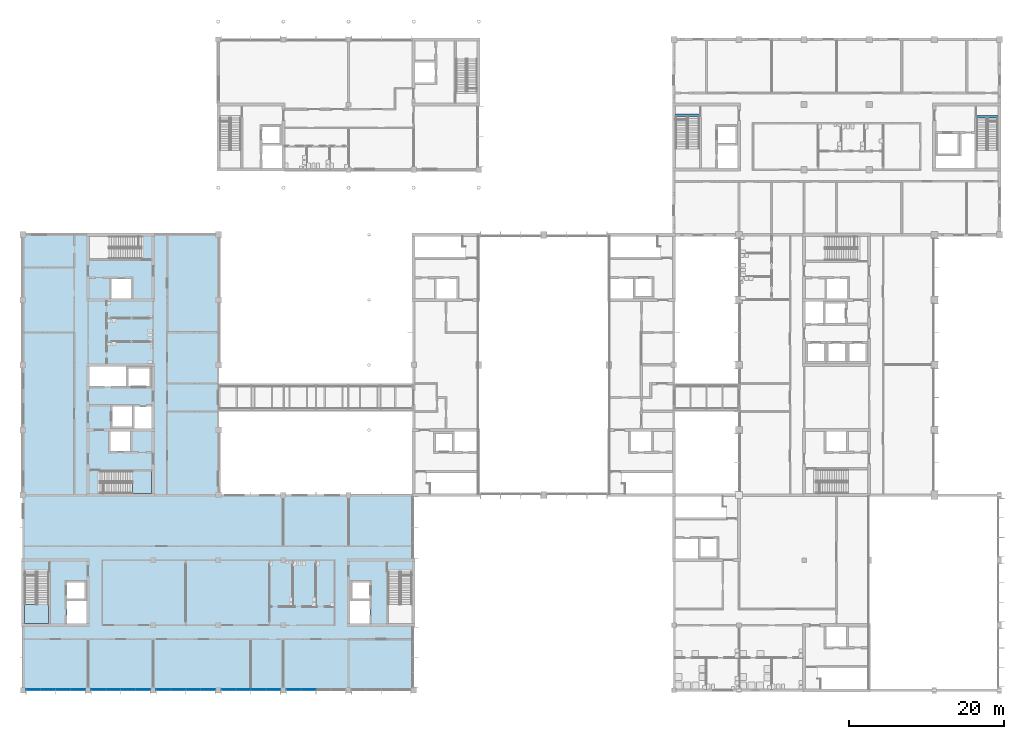
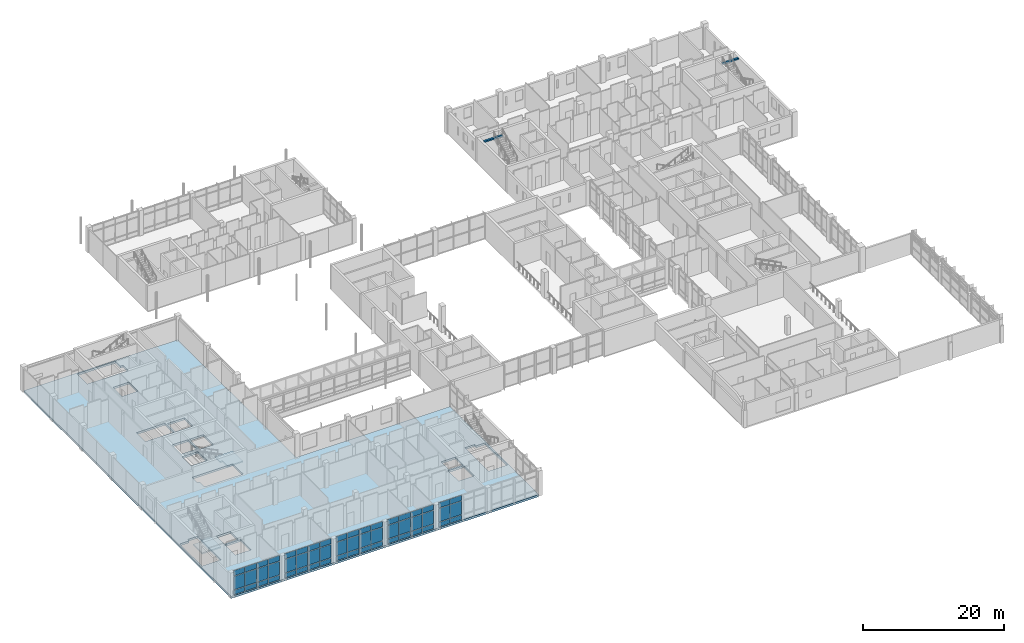
# One storey, part 24 of 70: 54 plates, 3 slabs, 2 beams, 7 elements without a shape of their own.
"""IFC4 building model written with IfcOpenShell, lengths in metres."""

from ifc_helpers import new_model, si_unit, direction, frame, origin, origin_2d, place, context, subcontext, project, spatial, polyline, rectangle, outline, extrude, material, layer, layer_set, material_profile, profile_set, type_object, element, aggregate, save


model = new_model("IFC4")

# Units and contexts
model_context = context("Model", 3, precision=1e-05, world=origin(), true_north=direction((0.0, 1.0)))
body_context = subcontext(model_context, "Body", "Model", "MODEL_VIEW")
ifc_project = project(units=[si_unit("LENGTHUNIT", "METRE"), si_unit("AREAUNIT", "SQUARE_METRE"), si_unit("VOLUMEUNIT", "CUBIC_METRE"), si_unit("PLANEANGLEUNIT", "RADIAN"), si_unit("MASSUNIT", "GRAM", prefix="KILO")], contexts=[model_context])

# Site, building, storey
site_placement = place(None, origin())
site = spatial("IfcSite", under=ifc_project, at=site_placement, CompositionType="ELEMENT")
building_placement = place(site_placement, origin())
building = spatial("IfcBuilding", under=site, at=building_placement, Name="Hlaing Beacon Police Headquarters", CompositionType="ELEMENT")
storey_placement = place(building_placement, frame((0.0, 0.0, 5.39990234375)))
storey = spatial("IfcBuildingStorey", under=building, at=storey_placement, Name="L01", CompositionType="ELEMENT", Elevation=5.39990234375)

# Beams
ifc_material_1 = material(Name="Concrete C40/50", Category="concrete")
ifc_material_profile = material_profile(ifc_material_1, rectangle(XDim=0.300048828125, YDim=0.25, at=origin_2d()), Name="Stair arrival beam 300x250")
ifc_profile_set = profile_set([ifc_material_profile], Name="Concrete C40/50")
beam_type = type_object("IfcBeamType", Name="Stair arrival beam 300x250", PredefinedType="BEAM", material=ifc_profile_set)
beam_1_placement = place(storey_placement, frame((92.60009765625, 82.639892578125, 4.2451171875), z_axis=(1.0, 0.0, 0.0), x_axis=(0.0, 1.0, 0.0)))
element("IfcBeam", 1, at=beam_1_placement, inside=storey, type_object=beam_type, Name="Stair arrival beam ST-Q", PredefinedType="BEAM", context=body_context, shape_type="SweptSolid", body=[
    extrude(rectangle(XDim=0.300048828125, YDim=0.25, at=origin_2d()), origin(), (0.0, 0.0, 1.0), 3.099853515625),
])
beam_2_placement = place(storey_placement, frame((134.199951171875, 82.43994140625, 4.2451171875), z_axis=(-1.0, 0.0, 0.0), x_axis=(0.0, -1.0, 0.0)))
element("IfcBeam", 2, at=beam_2_placement, inside=storey, type_object=beam_type, Name="Stair arrival beam ST-R", PredefinedType="BEAM", context=body_context, shape_type="SweptSolid", body=[
    extrude(rectangle(XDim=0.300048828125, YDim=0.25, at=origin_2d()), origin(), (0.0, 0.0, 1.0), 2.699951171875),
])

# Curtain wall, plates
ifc_material_2 = material(Name="Aluminium frame with solar control glazing", Category="aluminium")
curtain_wall_type = type_object("IfcCurtainWallType", Name="Unitised curtain wall 7.70 x 4.37", PredefinedType="NOTDEFINED", material=ifc_material_2)
curtain_wall_1_placement = place(storey_placement, origin())
curtain_wall_1 = element("IfcCurtainWall", 3, at=curtain_wall_1_placement, inside=storey, type_object=curtain_wall_type, Name="ENV-CW-L01-S011", PredefinedType="NOTDEFINED")
ifc_material_3 = material(Name="Solar control glazing", Category="glass")
ifc_layer_1 = layer(ifc_material_3, 0.02392578125)
ifc_layer_set_1 = layer_set([ifc_layer_1], Name="Solar control glazing")
plate_type_1 = type_object("IfcPlateType", Name="Clear glazing panel 24", PredefinedType="CURTAIN_PANEL", material=ifc_layer_set_1)
plate_1_placement = place(storey_placement, frame((9.7275390625, 8.5, 3.35009765625), z_axis=(0.0, 0.0, 1.0), x_axis=(1.0, 0.0, 0.0)))
plate_1 = element("IfcPlate", 4, at=plate_1_placement, type_object=plate_type_1, Name="CW-L01-S011 panel 1.3", PredefinedType="CURTAIN_PANEL", context=body_context, shape_type="SweptSolid", body=[
    extrude(rectangle(XDim=1.8349609375, YDim=0.02392578125, at=origin_2d()), origin(), (0.0, 0.0, 1.0), 0.919921875),
])
plate_2_placement = place(storey_placement, frame((11.637451171875, 8.5, 3.35009765625), z_axis=(0.0, 0.0, 1.0), x_axis=(1.0, 0.0, 0.0)))
plate_2 = element("IfcPlate", 5, at=plate_2_placement, type_object=plate_type_1, Name="CW-L01-S011 panel 2.3", PredefinedType="CURTAIN_PANEL", context=body_context, shape_type="SweptSolid", body=[
    extrude(rectangle(XDim=1.864990234375, YDim=0.02392578125, at=origin_2d()), origin(), (0.0, 0.0, 1.0), 0.919921875),
])
plate_3_placement = place(storey_placement, frame((13.5625, 8.5, 3.35009765625), z_axis=(0.0, 0.0, 1.0), x_axis=(1.0, 0.0, 0.0)))
plate_3 = element("IfcPlate", 6, at=plate_3_placement, type_object=plate_type_1, Name="CW-L01-S011 panel 3.3", PredefinedType="CURTAIN_PANEL", context=body_context, shape_type="SweptSolid", body=[
    extrude(rectangle(XDim=1.864990234375, YDim=0.02392578125, at=origin_2d()), origin(), (0.0, 0.0, 1.0), 0.919921875),
])
plate_4_placement = place(storey_placement, frame((15.472412109375, 8.5, 3.35009765625), z_axis=(0.0, 0.0, 1.0), x_axis=(1.0, 0.0, 0.0)))
plate_4 = element("IfcPlate", 7, at=plate_4_placement, type_object=plate_type_1, Name="CW-L01-S011 panel 4.3", PredefinedType="CURTAIN_PANEL", context=body_context, shape_type="SweptSolid", body=[
    extrude(rectangle(XDim=1.8349609375, YDim=0.02392578125, at=origin_2d()), origin(), (0.0, 0.0, 1.0), 0.919921875),
])

curtain_wall_2_placement = place(storey_placement, origin())
curtain_wall_2 = element("IfcCurtainWall", 8, at=curtain_wall_2_placement, inside=storey, type_object=curtain_wall_type, Name="ENV-CW-L01-S012", PredefinedType="NOTDEFINED")
plate_5_placement = place(storey_placement, frame((18.12744140625, 8.5, 3.35009765625), z_axis=(0.0, 0.0, 1.0), x_axis=(1.0, 0.0, 0.0)))
plate_5 = element("IfcPlate", 9, at=plate_5_placement, type_object=plate_type_1, Name="CW-L01-S012 panel 1.3", PredefinedType="CURTAIN_PANEL", context=body_context, shape_type="SweptSolid", body=[
    extrude(rectangle(XDim=1.8349609375, YDim=0.02392578125, at=origin_2d()), origin(), (0.0, 0.0, 1.0), 0.919921875),
])
plate_6_placement = place(storey_placement, frame((20.03759765625, 8.5, 3.35009765625), z_axis=(0.0, 0.0, 1.0), x_axis=(1.0, 0.0, 0.0)))
plate_6 = element("IfcPlate", 10, at=plate_6_placement, type_object=plate_type_1, Name="CW-L01-S012 panel 2.3", PredefinedType="CURTAIN_PANEL", context=body_context, shape_type="SweptSolid", body=[
    extrude(rectangle(XDim=1.864990234375, YDim=0.02392578125, at=origin_2d()), origin(), (0.0, 0.0, 1.0), 0.919921875),
])
plate_7_placement = place(storey_placement, frame((21.96240234375, 8.5, 3.35009765625), z_axis=(0.0, 0.0, 1.0), x_axis=(1.0, 0.0, 0.0)))
plate_7 = element("IfcPlate", 11, at=plate_7_placement, type_object=plate_type_1, Name="CW-L01-S012 panel 3.3", PredefinedType="CURTAIN_PANEL", context=body_context, shape_type="SweptSolid", body=[
    extrude(rectangle(XDim=1.864990234375, YDim=0.02392578125, at=origin_2d()), origin(), (0.0, 0.0, 1.0), 0.919921875),
])
plate_8_placement = place(storey_placement, frame((23.87255859375, 8.5, 3.35009765625), z_axis=(0.0, 0.0, 1.0), x_axis=(1.0, 0.0, 0.0)))
plate_8 = element("IfcPlate", 12, at=plate_8_placement, type_object=plate_type_1, Name="CW-L01-S012 panel 4.3", PredefinedType="CURTAIN_PANEL", context=body_context, shape_type="SweptSolid", body=[
    extrude(rectangle(XDim=1.8349609375, YDim=0.02392578125, at=origin_2d()), origin(), (0.0, 0.0, 1.0), 0.919921875),
])

curtain_wall_3_placement = place(storey_placement, origin())
curtain_wall_3 = element("IfcCurtainWall", 13, at=curtain_wall_3_placement, inside=storey, type_object=curtain_wall_type, Name="ENV-CW-L01-S013", PredefinedType="NOTDEFINED")
plate_9_placement = place(storey_placement, frame((26.527587890625, 8.5, 3.35009765625), z_axis=(0.0, 0.0, 1.0), x_axis=(1.0, 0.0, 0.0)))
plate_9 = element("IfcPlate", 14, at=plate_9_placement, type_object=plate_type_1, Name="CW-L01-S013 panel 1.3", PredefinedType="CURTAIN_PANEL", context=body_context, shape_type="SweptSolid", body=[
    extrude(rectangle(XDim=1.8349609375, YDim=0.02392578125, at=origin_2d()), origin(), (0.0, 0.0, 1.0), 0.919921875),
])
plate_10_placement = place(storey_placement, frame((28.4375, 8.5, 3.35009765625), z_axis=(0.0, 0.0, 1.0), x_axis=(1.0, 0.0, 0.0)))
plate_10 = element("IfcPlate", 15, at=plate_10_placement, type_object=plate_type_1, Name="CW-L01-S013 panel 2.3", PredefinedType="CURTAIN_PANEL", context=body_context, shape_type="SweptSolid", body=[
    extrude(rectangle(XDim=1.864990234375, YDim=0.02392578125, at=origin_2d()), origin(), (0.0, 0.0, 1.0), 0.919921875),
])
plate_11_placement = place(storey_placement, frame((30.362548828125, 8.5, 3.35009765625), z_axis=(0.0, 0.0, 1.0), x_axis=(1.0, 0.0, 0.0)))
plate_11 = element("IfcPlate", 16, at=plate_11_placement, type_object=plate_type_1, Name="CW-L01-S013 panel 3.3", PredefinedType="CURTAIN_PANEL", context=body_context, shape_type="SweptSolid", body=[
    extrude(rectangle(XDim=1.864990234375, YDim=0.02392578125, at=origin_2d()), origin(), (0.0, 0.0, 1.0), 0.919921875),
])
plate_12_placement = place(storey_placement, frame((32.2724609375, 8.5, 3.35009765625), z_axis=(0.0, 0.0, 1.0), x_axis=(1.0, 0.0, 0.0)))
plate_12 = element("IfcPlate", 17, at=plate_12_placement, type_object=plate_type_1, Name="CW-L01-S013 panel 4.3", PredefinedType="CURTAIN_PANEL", context=body_context, shape_type="SweptSolid", body=[
    extrude(rectangle(XDim=1.8349609375, YDim=0.02392578125, at=origin_2d()), origin(), (0.0, 0.0, 1.0), 0.919921875),
])

curtain_wall_4_placement = place(storey_placement, origin())
curtain_wall_4 = element("IfcCurtainWall", 18, at=curtain_wall_4_placement, inside=storey, type_object=curtain_wall_type, Name="ENV-CW-L01-S014", PredefinedType="NOTDEFINED")
plate_13_placement = place(storey_placement, frame((34.927490234375, 8.5, 3.35009765625), z_axis=(0.0, 0.0, 1.0), x_axis=(1.0, 0.0, 0.0)))
plate_13 = element("IfcPlate", 19, at=plate_13_placement, type_object=plate_type_1, Name="CW-L01-S014 panel 1.3", PredefinedType="CURTAIN_PANEL", context=body_context, shape_type="SweptSolid", body=[
    extrude(rectangle(XDim=1.8349609375, YDim=0.02392578125, at=origin_2d()), origin(), (0.0, 0.0, 1.0), 0.919921875),
])
plate_14_placement = place(storey_placement, frame((36.83740234375, 8.5, 3.35009765625), z_axis=(0.0, 0.0, 1.0), x_axis=(1.0, 0.0, 0.0)))
plate_14 = element("IfcPlate", 20, at=plate_14_placement, type_object=plate_type_1, Name="CW-L01-S014 panel 2.3", PredefinedType="CURTAIN_PANEL", context=body_context, shape_type="SweptSolid", body=[
    extrude(rectangle(XDim=1.864990234375, YDim=0.02392578125, at=origin_2d()), origin(), (0.0, 0.0, 1.0), 0.919921875),
])
plate_15_placement = place(storey_placement, frame((38.762451171875, 8.5, 3.35009765625), z_axis=(0.0, 0.0, 1.0), x_axis=(1.0, 0.0, 0.0)))
plate_15 = element("IfcPlate", 21, at=plate_15_placement, type_object=plate_type_1, Name="CW-L01-S014 panel 3.3", PredefinedType="CURTAIN_PANEL", context=body_context, shape_type="SweptSolid", body=[
    extrude(rectangle(XDim=1.864990234375, YDim=0.02392578125, at=origin_2d()), origin(), (0.0, 0.0, 1.0), 0.919921875),
])
plate_16_placement = place(storey_placement, frame((40.672607421875, 8.5, 3.35009765625), z_axis=(0.0, 0.0, 1.0), x_axis=(1.0, 0.0, 0.0)))
plate_16 = element("IfcPlate", 22, at=plate_16_placement, type_object=plate_type_1, Name="CW-L01-S014 panel 4.3", PredefinedType="CURTAIN_PANEL", context=body_context, shape_type="SweptSolid", body=[
    extrude(rectangle(XDim=1.8349609375, YDim=0.02392578125, at=origin_2d()), origin(), (0.0, 0.0, 1.0), 0.919921875),
])

curtain_wall_5_placement = place(storey_placement, origin())
curtain_wall_5 = element("IfcCurtainWall", 23, at=curtain_wall_5_placement, inside=storey, type_object=curtain_wall_type, Name="ENV-CW-L01-S015", PredefinedType="NOTDEFINED")
plate_17_placement = place(storey_placement, frame((43.327392578125, 8.5, 3.35009765625), z_axis=(0.0, 0.0, 1.0), x_axis=(1.0, 0.0, 0.0)))
plate_17 = element("IfcPlate", 24, at=plate_17_placement, type_object=plate_type_1, Name="CW-L01-S015 panel 1.3", PredefinedType="CURTAIN_PANEL", context=body_context, shape_type="SweptSolid", body=[
    extrude(rectangle(XDim=1.8349609375, YDim=0.02392578125, at=origin_2d()), origin(), (0.0, 0.0, 1.0), 0.919921875),
])
plate_18_placement = place(storey_placement, frame((45.237548828125, 8.5, 3.35009765625), z_axis=(0.0, 0.0, 1.0), x_axis=(1.0, 0.0, 0.0)))
plate_18 = element("IfcPlate", 25, at=plate_18_placement, type_object=plate_type_1, Name="CW-L01-S015 panel 2.3", PredefinedType="CURTAIN_PANEL", context=body_context, shape_type="SweptSolid", body=[
    extrude(rectangle(XDim=1.864990234375, YDim=0.02392578125, at=origin_2d()), origin(), (0.0, 0.0, 1.0), 0.919921875),
])

# Plate
ifc_material_4 = material(Name="Solar control glazing", Category="glass")
ifc_layer_2 = layer(ifc_material_4, 0.0439453125)
ifc_layer_set_2 = layer_set([ifc_layer_2], Name="Solar control glazing")
plate_type_2 = type_object("IfcPlateType", Name="Clear glazing panel 44", PredefinedType="CURTAIN_PANEL", material=ifc_layer_set_2)
plate_19_placement = place(storey_placement, frame((9.7275390625, 8.5, 0.9501953125), z_axis=(0.0, 0.0, 1.0), x_axis=(1.0, 0.0, 0.0)))
plate_19 = element("IfcPlate", 26, at=plate_19_placement, type_object=plate_type_2, Name="CW-L01-S011 panel 1.2", PredefinedType="CURTAIN_PANEL", context=body_context, shape_type="SweptSolid", body=[
    extrude(rectangle(XDim=1.8349609375, YDim=0.0439453125, at=origin_2d()), origin(), (0.0, 0.0, 1.0), 2.300048828125),
])

plate_20_placement = place(storey_placement, frame((11.637451171875, 8.5, 0.9501953125), z_axis=(0.0, 0.0, 1.0), x_axis=(1.0, 0.0, 0.0)))
plate_20 = element("IfcPlate", 27, at=plate_20_placement, type_object=plate_type_2, Name="CW-L01-S011 panel 2.2", PredefinedType="CURTAIN_PANEL", context=body_context, shape_type="SweptSolid", body=[
    extrude(rectangle(XDim=1.864990234375, YDim=0.0439453125, at=origin_2d()), origin(), (0.0, 0.0, 1.0), 2.300048828125),
])

plate_21_placement = place(storey_placement, frame((13.5625, 8.5, 0.9501953125), z_axis=(0.0, 0.0, 1.0), x_axis=(1.0, 0.0, 0.0)))
plate_21 = element("IfcPlate", 28, at=plate_21_placement, type_object=plate_type_2, Name="CW-L01-S011 panel 3.2", PredefinedType="CURTAIN_PANEL", context=body_context, shape_type="SweptSolid", body=[
    extrude(rectangle(XDim=1.864990234375, YDim=0.0439453125, at=origin_2d()), origin(), (0.0, 0.0, 1.0), 2.300048828125),
])

plate_22_placement = place(storey_placement, frame((15.472412109375, 8.5, 0.9501953125), z_axis=(0.0, 0.0, 1.0), x_axis=(1.0, 0.0, 0.0)))
plate_22 = element("IfcPlate", 29, at=plate_22_placement, type_object=plate_type_2, Name="CW-L01-S011 panel 4.2", PredefinedType="CURTAIN_PANEL", context=body_context, shape_type="SweptSolid", body=[
    extrude(rectangle(XDim=1.8349609375, YDim=0.0439453125, at=origin_2d()), origin(), (0.0, 0.0, 1.0), 2.300048828125),
])

plate_23_placement = place(storey_placement, frame((18.12744140625, 8.5, 0.9501953125), z_axis=(0.0, 0.0, 1.0), x_axis=(1.0, 0.0, 0.0)))
plate_23 = element("IfcPlate", 30, at=plate_23_placement, type_object=plate_type_2, Name="CW-L01-S012 panel 1.2", PredefinedType="CURTAIN_PANEL", context=body_context, shape_type="SweptSolid", body=[
    extrude(rectangle(XDim=1.8349609375, YDim=0.0439453125, at=origin_2d()), origin(), (0.0, 0.0, 1.0), 2.300048828125),
])

plate_24_placement = place(storey_placement, frame((20.03759765625, 8.5, 0.9501953125), z_axis=(0.0, 0.0, 1.0), x_axis=(1.0, 0.0, 0.0)))
plate_24 = element("IfcPlate", 31, at=plate_24_placement, type_object=plate_type_2, Name="CW-L01-S012 panel 2.2", PredefinedType="CURTAIN_PANEL", context=body_context, shape_type="SweptSolid", body=[
    extrude(rectangle(XDim=1.864990234375, YDim=0.0439453125, at=origin_2d()), origin(), (0.0, 0.0, 1.0), 2.300048828125),
])

plate_25_placement = place(storey_placement, frame((21.96240234375, 8.5, 0.9501953125), z_axis=(0.0, 0.0, 1.0), x_axis=(1.0, 0.0, 0.0)))
plate_25 = element("IfcPlate", 32, at=plate_25_placement, type_object=plate_type_2, Name="CW-L01-S012 panel 3.2", PredefinedType="CURTAIN_PANEL", context=body_context, shape_type="SweptSolid", body=[
    extrude(rectangle(XDim=1.864990234375, YDim=0.0439453125, at=origin_2d()), origin(), (0.0, 0.0, 1.0), 2.300048828125),
])

plate_26_placement = place(storey_placement, frame((23.87255859375, 8.5, 0.9501953125), z_axis=(0.0, 0.0, 1.0), x_axis=(1.0, 0.0, 0.0)))
plate_26 = element("IfcPlate", 33, at=plate_26_placement, type_object=plate_type_2, Name="CW-L01-S012 panel 4.2", PredefinedType="CURTAIN_PANEL", context=body_context, shape_type="SweptSolid", body=[
    extrude(rectangle(XDim=1.8349609375, YDim=0.0439453125, at=origin_2d()), origin(), (0.0, 0.0, 1.0), 2.300048828125),
])

plate_27_placement = place(storey_placement, frame((26.527587890625, 8.5, 0.9501953125), z_axis=(0.0, 0.0, 1.0), x_axis=(1.0, 0.0, 0.0)))
plate_27 = element("IfcPlate", 34, at=plate_27_placement, type_object=plate_type_2, Name="CW-L01-S013 panel 1.2", PredefinedType="CURTAIN_PANEL", context=body_context, shape_type="SweptSolid", body=[
    extrude(rectangle(XDim=1.8349609375, YDim=0.0439453125, at=origin_2d()), origin(), (0.0, 0.0, 1.0), 2.300048828125),
])

plate_28_placement = place(storey_placement, frame((28.4375, 8.5, 0.9501953125), z_axis=(0.0, 0.0, 1.0), x_axis=(1.0, 0.0, 0.0)))
plate_28 = element("IfcPlate", 35, at=plate_28_placement, type_object=plate_type_2, Name="CW-L01-S013 panel 2.2", PredefinedType="CURTAIN_PANEL", context=body_context, shape_type="SweptSolid", body=[
    extrude(rectangle(XDim=1.864990234375, YDim=0.0439453125, at=origin_2d()), origin(), (0.0, 0.0, 1.0), 2.300048828125),
])

plate_29_placement = place(storey_placement, frame((30.362548828125, 8.5, 0.9501953125), z_axis=(0.0, 0.0, 1.0), x_axis=(1.0, 0.0, 0.0)))
plate_29 = element("IfcPlate", 36, at=plate_29_placement, type_object=plate_type_2, Name="CW-L01-S013 panel 3.2", PredefinedType="CURTAIN_PANEL", context=body_context, shape_type="SweptSolid", body=[
    extrude(rectangle(XDim=1.864990234375, YDim=0.0439453125, at=origin_2d()), origin(), (0.0, 0.0, 1.0), 2.300048828125),
])

plate_30_placement = place(storey_placement, frame((32.2724609375, 8.5, 0.9501953125), z_axis=(0.0, 0.0, 1.0), x_axis=(1.0, 0.0, 0.0)))
plate_30 = element("IfcPlate", 37, at=plate_30_placement, type_object=plate_type_2, Name="CW-L01-S013 panel 4.2", PredefinedType="CURTAIN_PANEL", context=body_context, shape_type="SweptSolid", body=[
    extrude(rectangle(XDim=1.8349609375, YDim=0.0439453125, at=origin_2d()), origin(), (0.0, 0.0, 1.0), 2.300048828125),
])

plate_31_placement = place(storey_placement, frame((34.927490234375, 8.5, 0.9501953125), z_axis=(0.0, 0.0, 1.0), x_axis=(1.0, 0.0, 0.0)))
plate_31 = element("IfcPlate", 38, at=plate_31_placement, type_object=plate_type_2, Name="CW-L01-S014 panel 1.2", PredefinedType="CURTAIN_PANEL", context=body_context, shape_type="SweptSolid", body=[
    extrude(rectangle(XDim=1.8349609375, YDim=0.0439453125, at=origin_2d()), origin(), (0.0, 0.0, 1.0), 2.300048828125),
])

plate_32_placement = place(storey_placement, frame((36.83740234375, 8.5, 0.9501953125), z_axis=(0.0, 0.0, 1.0), x_axis=(1.0, 0.0, 0.0)))
plate_32 = element("IfcPlate", 39, at=plate_32_placement, type_object=plate_type_2, Name="CW-L01-S014 panel 2.2", PredefinedType="CURTAIN_PANEL", context=body_context, shape_type="SweptSolid", body=[
    extrude(rectangle(XDim=1.864990234375, YDim=0.0439453125, at=origin_2d()), origin(), (0.0, 0.0, 1.0), 2.300048828125),
])

plate_33_placement = place(storey_placement, frame((38.762451171875, 8.5, 0.9501953125), z_axis=(0.0, 0.0, 1.0), x_axis=(1.0, 0.0, 0.0)))
plate_33 = element("IfcPlate", 40, at=plate_33_placement, type_object=plate_type_2, Name="CW-L01-S014 panel 3.2", PredefinedType="CURTAIN_PANEL", context=body_context, shape_type="SweptSolid", body=[
    extrude(rectangle(XDim=1.864990234375, YDim=0.0439453125, at=origin_2d()), origin(), (0.0, 0.0, 1.0), 2.300048828125),
])

plate_34_placement = place(storey_placement, frame((40.672607421875, 8.5, 0.9501953125), z_axis=(0.0, 0.0, 1.0), x_axis=(1.0, 0.0, 0.0)))
plate_34 = element("IfcPlate", 41, at=plate_34_placement, type_object=plate_type_2, Name="CW-L01-S014 panel 4.2", PredefinedType="CURTAIN_PANEL", context=body_context, shape_type="SweptSolid", body=[
    extrude(rectangle(XDim=1.8349609375, YDim=0.0439453125, at=origin_2d()), origin(), (0.0, 0.0, 1.0), 2.300048828125),
])

plate_35_placement = place(storey_placement, frame((43.327392578125, 8.5, 0.9501953125), z_axis=(0.0, 0.0, 1.0), x_axis=(1.0, 0.0, 0.0)))
plate_35 = element("IfcPlate", 42, at=plate_35_placement, type_object=plate_type_2, Name="CW-L01-S015 panel 1.2", PredefinedType="CURTAIN_PANEL", context=body_context, shape_type="SweptSolid", body=[
    extrude(rectangle(XDim=1.8349609375, YDim=0.0439453125, at=origin_2d()), origin(), (0.0, 0.0, 1.0), 2.300048828125),
])

plate_36_placement = place(storey_placement, frame((45.237548828125, 8.5, 0.9501953125), z_axis=(0.0, 0.0, 1.0), x_axis=(1.0, 0.0, 0.0)))
plate_36 = element("IfcPlate", 43, at=plate_36_placement, type_object=plate_type_2, Name="CW-L01-S015 panel 2.2", PredefinedType="CURTAIN_PANEL", context=body_context, shape_type="SweptSolid", body=[
    extrude(rectangle(XDim=1.864990234375, YDim=0.0439453125, at=origin_2d()), origin(), (0.0, 0.0, 1.0), 2.300048828125),
])

# Slab
ifc_material_5 = material(Name="Concrete C50/60", Category="concrete")
ifc_layer_3 = layer(ifc_material_5, 0.35009765625)
ifc_layer_set_3 = layer_set([ifc_layer_3], Name="Concrete C50/60")
slab_type_1 = type_object("IfcSlabType", Name="Flat slab 350", PredefinedType="FLOOR", material=ifc_layer_set_3)
slab_1_placement = place(storey_placement, frame((0.0, 0.0, -0.349853515625)))
element("IfcSlab", 44, at=slab_1_placement, inside=storey, type_object=slab_type_1, Name="STR-SLAB-L01-01", PredefinedType="FLOOR", context=body_context, shape_type="SweptSolid", body=[
    extrude(outline(polyline([(8.39990234375, 8.39990234375), (58.800048828125, 8.39990234375), (58.800048828125, 33.60009765625), (33.60009765625, 33.60009765625), (33.60009765625, 67.199951171875), (8.39990234375, 67.199951171875), (8.39990234375, 8.39990234375)]), holes=[polyline([(8.60009765625, 17.0), (11.699951171875, 17.0), (11.699951171875, 23.68994140625), (10.10009765625, 23.68994140625), (10.10009765625, 23.300048828125), (8.60009765625, 23.300048828125), (8.60009765625, 17.0)]), polyline([(14.050048828125, 17.0), (16.60009765625, 17.0), (16.60009765625, 19.949951171875), (14.050048828125, 19.949951171875), (14.050048828125, 17.0)]), polyline([(14.050048828125, 20.199951171875), (16.35009765625, 20.199951171875), (16.35009765625, 22.35009765625), (14.050048828125, 22.35009765625), (14.050048828125, 20.199951171875)]), polyline([(17.0, 47.64990234375), (21.699951171875, 47.64990234375), (21.699951171875, 50.199951171875), (17.0, 50.199951171875), (17.0, 47.64990234375)]), polyline([(17.0, 64.10009765625), (23.68994140625, 64.10009765625), (23.68994140625, 65.60009765625), (23.300048828125, 65.60009765625), (23.300048828125, 67.0), (17.0, 67.0), (17.0, 64.10009765625)]), polyline([(18.699951171875, 33.800048828125), (25.0, 33.800048828125), (25.0, 36.699951171875), (18.31005859375, 36.699951171875), (18.31005859375, 35.199951171875), (18.699951171875, 35.199951171875), (18.699951171875, 33.800048828125)]), polyline([(19.64990234375, 39.25), (22.25, 39.25), (22.25, 41.800048828125), (19.64990234375, 41.800048828125), (19.64990234375, 39.25)]), polyline([(19.75, 59.0), (22.35009765625, 59.0), (22.35009765625, 61.550048828125), (19.75, 61.550048828125), (19.75, 59.0)]), polyline([(19.89990234375, 42.449951171875), (22.5, 42.449951171875), (22.5, 45.050048828125), (19.89990234375, 45.050048828125), (19.89990234375, 42.449951171875)]), polyline([(21.949951171875, 47.64990234375), (24.75, 47.64990234375), (24.75, 49.949951171875), (21.949951171875, 49.949951171875), (21.949951171875, 47.64990234375)]), polyline([(22.75, 42.199951171875), (25.0, 42.199951171875), (25.0, 45.050048828125), (22.75, 45.050048828125), (22.75, 42.199951171875)]), polyline([(50.60009765625, 17.0), (53.14990234375, 17.0), (53.14990234375, 19.949951171875), (50.60009765625, 19.949951171875), (50.60009765625, 17.0)]), polyline([(50.85009765625, 20.199951171875), (53.14990234375, 20.199951171875), (53.14990234375, 22.35009765625), (50.85009765625, 22.35009765625), (50.85009765625, 20.199951171875)]), polyline([(55.5, 17.0), (58.60009765625, 17.0), (58.60009765625, 23.300048828125), (57.10009765625, 23.300048828125), (57.10009765625, 23.68994140625), (55.5, 23.68994140625), (55.5, 17.0)])]), origin(), (0.0, 0.0, 1.0), 0.349853515625),
])

# Stair, slab
ifc_material_6 = material(Name="Concrete C40/50", Category="concrete")
stair_type_1 = type_object("IfcStairType", Name="Half-turn stair 1500 wide, 4500 rise", PredefinedType="HALF_TURN_STAIR", material=ifc_material_6)
stair_1_placement = place(storey_placement, origin())
stair_1 = element("IfcStair", 45, at=stair_1_placement, inside=storey, type_object=stair_type_1, Name="Stair ST-J", PredefinedType="HALF_TURN_STAIR")
ifc_material_7 = material(Name="Concrete C40/50", Category="concrete")
ifc_layer_4 = layer(ifc_material_7, 0.219970703125)
ifc_layer_set_4 = layer_set([ifc_layer_4], Name="Concrete C40/50")
slab_type_2 = type_object("IfcSlabType", Name="Stair landing 220", PredefinedType="LANDING", material=ifc_layer_set_4)
slab_2_placement = place(storey_placement, frame((0.0, 0.0, 2.030029296875)))
slab_2 = element("IfcSlab", 46, at=slab_2_placement, type_object=slab_type_2, Name="ST-J landing 1", PredefinedType="LANDING", context=body_context, shape_type="SweptSolid", body=[
    extrude(outline(polyline([(8.60009765625, 19.510009765625), (8.60009765625, 17.0), (11.699951171875, 17.0), (11.699951171875, 19.89990234375), (10.199951171875, 19.89990234375), (10.199951171875, 19.510009765625), (8.60009765625, 19.510009765625)])), origin(), (0.0, 0.0, 1.0), 0.219970703125),
])
aggregate(stair_1, [slab_2])

ifc_material_8 = material(Name="Concrete C40/50", Category="concrete")
stair_type_2 = type_object("IfcStairType", Name="Half-turn stair 1400 wide, 4500 rise", PredefinedType="HALF_TURN_STAIR", material=ifc_material_8)
stair_2_placement = place(storey_placement, origin())
stair_2 = element("IfcStair", 47, at=stair_2_placement, inside=storey, type_object=stair_type_2, Name="Stair ST-N", PredefinedType="HALF_TURN_STAIR")
slab_3_placement = place(storey_placement, frame((0.0, 0.0, 2.030029296875)))
slab_3 = element("IfcSlab", 48, at=slab_3_placement, type_object=slab_type_2, Name="ST-N landing 1", PredefinedType="LANDING", context=body_context, shape_type="SweptSolid", body=[
    extrude(outline(polyline([(22.489990234375, 33.800048828125), (25.0, 33.800048828125), (25.0, 36.699951171875), (22.10009765625, 36.699951171875), (22.10009765625, 35.300048828125), (22.489990234375, 35.300048828125), (22.489990234375, 33.800048828125)])), origin(), (0.0, 0.0, 1.0), 0.219970703125),
])
aggregate(stair_2, [slab_3])

# Plate
ifc_material_9 = material(Name="Terracotta ribbed cladding", Category="masonry")
ifc_layer_5 = layer(ifc_material_9, 0.06005859375)
ifc_layer_set_5 = layer_set([ifc_layer_5], Name="Terracotta ribbed cladding")
plate_type_3 = type_object("IfcPlateType", Name="Terracotta ribbed spandrel panel 60", PredefinedType="CURTAIN_PANEL", material=ifc_layer_set_5)
plate_37_placement = place(storey_placement, frame((9.7275390625, 8.5, 0.10009765625), z_axis=(0.0, 0.0, 1.0), x_axis=(1.0, 0.0, 0.0)))
plate_37 = element("IfcPlate", 49, at=plate_37_placement, type_object=plate_type_3, Name="CW-L01-S011 panel 1.1", PredefinedType="CURTAIN_PANEL", context=body_context, shape_type="SweptSolid", body=[
    extrude(rectangle(XDim=1.8349609375, YDim=0.06005859375, at=origin_2d()), origin(), (0.0, 0.0, 1.0), 0.75),
])

plate_38_placement = place(storey_placement, frame((11.637451171875, 8.5, 0.10009765625), z_axis=(0.0, 0.0, 1.0), x_axis=(1.0, 0.0, 0.0)))
plate_38 = element("IfcPlate", 50, at=plate_38_placement, type_object=plate_type_3, Name="CW-L01-S011 panel 2.1", PredefinedType="CURTAIN_PANEL", context=body_context, shape_type="SweptSolid", body=[
    extrude(rectangle(XDim=1.864990234375, YDim=0.06005859375, at=origin_2d()), origin(), (0.0, 0.0, 1.0), 0.75),
])

plate_39_placement = place(storey_placement, frame((13.5625, 8.5, 0.10009765625), z_axis=(0.0, 0.0, 1.0), x_axis=(1.0, 0.0, 0.0)))
plate_39 = element("IfcPlate", 51, at=plate_39_placement, type_object=plate_type_3, Name="CW-L01-S011 panel 3.1", PredefinedType="CURTAIN_PANEL", context=body_context, shape_type="SweptSolid", body=[
    extrude(rectangle(XDim=1.864990234375, YDim=0.06005859375, at=origin_2d()), origin(), (0.0, 0.0, 1.0), 0.75),
])

plate_40_placement = place(storey_placement, frame((15.472412109375, 8.5, 0.10009765625), z_axis=(0.0, 0.0, 1.0), x_axis=(1.0, 0.0, 0.0)))
plate_40 = element("IfcPlate", 52, at=plate_40_placement, type_object=plate_type_3, Name="CW-L01-S011 panel 4.1", PredefinedType="CURTAIN_PANEL", context=body_context, shape_type="SweptSolid", body=[
    extrude(rectangle(XDim=1.8349609375, YDim=0.06005859375, at=origin_2d()), origin(), (0.0, 0.0, 1.0), 0.75),
])

aggregate(curtain_wall_1, [plate_37, plate_19, plate_1, plate_38, plate_20, plate_2, plate_39, plate_21, plate_3, plate_40, plate_22, plate_4])

plate_41_placement = place(storey_placement, frame((18.12744140625, 8.5, 0.10009765625), z_axis=(0.0, 0.0, 1.0), x_axis=(1.0, 0.0, 0.0)))
plate_41 = element("IfcPlate", 53, at=plate_41_placement, type_object=plate_type_3, Name="CW-L01-S012 panel 1.1", PredefinedType="CURTAIN_PANEL", context=body_context, shape_type="SweptSolid", body=[
    extrude(rectangle(XDim=1.8349609375, YDim=0.06005859375, at=origin_2d()), origin(), (0.0, 0.0, 1.0), 0.75),
])

plate_42_placement = place(storey_placement, frame((20.03759765625, 8.5, 0.10009765625), z_axis=(0.0, 0.0, 1.0), x_axis=(1.0, 0.0, 0.0)))
plate_42 = element("IfcPlate", 54, at=plate_42_placement, type_object=plate_type_3, Name="CW-L01-S012 panel 2.1", PredefinedType="CURTAIN_PANEL", context=body_context, shape_type="SweptSolid", body=[
    extrude(rectangle(XDim=1.864990234375, YDim=0.06005859375, at=origin_2d()), origin(), (0.0, 0.0, 1.0), 0.75),
])

plate_43_placement = place(storey_placement, frame((21.96240234375, 8.5, 0.10009765625), z_axis=(0.0, 0.0, 1.0), x_axis=(1.0, 0.0, 0.0)))
plate_43 = element("IfcPlate", 55, at=plate_43_placement, type_object=plate_type_3, Name="CW-L01-S012 panel 3.1", PredefinedType="CURTAIN_PANEL", context=body_context, shape_type="SweptSolid", body=[
    extrude(rectangle(XDim=1.864990234375, YDim=0.06005859375, at=origin_2d()), origin(), (0.0, 0.0, 1.0), 0.75),
])

plate_44_placement = place(storey_placement, frame((23.87255859375, 8.5, 0.10009765625), z_axis=(0.0, 0.0, 1.0), x_axis=(1.0, 0.0, 0.0)))
plate_44 = element("IfcPlate", 56, at=plate_44_placement, type_object=plate_type_3, Name="CW-L01-S012 panel 4.1", PredefinedType="CURTAIN_PANEL", context=body_context, shape_type="SweptSolid", body=[
    extrude(rectangle(XDim=1.8349609375, YDim=0.06005859375, at=origin_2d()), origin(), (0.0, 0.0, 1.0), 0.75),
])

aggregate(curtain_wall_2, [plate_41, plate_23, plate_5, plate_42, plate_24, plate_6, plate_43, plate_25, plate_7, plate_44, plate_26, plate_8])

plate_45_placement = place(storey_placement, frame((26.527587890625, 8.5, 0.10009765625), z_axis=(0.0, 0.0, 1.0), x_axis=(1.0, 0.0, 0.0)))
plate_45 = element("IfcPlate", 57, at=plate_45_placement, type_object=plate_type_3, Name="CW-L01-S013 panel 1.1", PredefinedType="CURTAIN_PANEL", context=body_context, shape_type="SweptSolid", body=[
    extrude(rectangle(XDim=1.8349609375, YDim=0.06005859375, at=origin_2d()), origin(), (0.0, 0.0, 1.0), 0.75),
])

plate_46_placement = place(storey_placement, frame((28.4375, 8.5, 0.10009765625), z_axis=(0.0, 0.0, 1.0), x_axis=(1.0, 0.0, 0.0)))
plate_46 = element("IfcPlate", 58, at=plate_46_placement, type_object=plate_type_3, Name="CW-L01-S013 panel 2.1", PredefinedType="CURTAIN_PANEL", context=body_context, shape_type="SweptSolid", body=[
    extrude(rectangle(XDim=1.864990234375, YDim=0.06005859375, at=origin_2d()), origin(), (0.0, 0.0, 1.0), 0.75),
])

plate_47_placement = place(storey_placement, frame((30.362548828125, 8.5, 0.10009765625), z_axis=(0.0, 0.0, 1.0), x_axis=(1.0, 0.0, 0.0)))
plate_47 = element("IfcPlate", 59, at=plate_47_placement, type_object=plate_type_3, Name="CW-L01-S013 panel 3.1", PredefinedType="CURTAIN_PANEL", context=body_context, shape_type="SweptSolid", body=[
    extrude(rectangle(XDim=1.864990234375, YDim=0.06005859375, at=origin_2d()), origin(), (0.0, 0.0, 1.0), 0.75),
])

plate_48_placement = place(storey_placement, frame((32.2724609375, 8.5, 0.10009765625), z_axis=(0.0, 0.0, 1.0), x_axis=(1.0, 0.0, 0.0)))
plate_48 = element("IfcPlate", 60, at=plate_48_placement, type_object=plate_type_3, Name="CW-L01-S013 panel 4.1", PredefinedType="CURTAIN_PANEL", context=body_context, shape_type="SweptSolid", body=[
    extrude(rectangle(XDim=1.8349609375, YDim=0.06005859375, at=origin_2d()), origin(), (0.0, 0.0, 1.0), 0.75),
])

aggregate(curtain_wall_3, [plate_45, plate_27, plate_9, plate_46, plate_28, plate_10, plate_47, plate_29, plate_11, plate_48, plate_30, plate_12])

plate_49_placement = place(storey_placement, frame((34.927490234375, 8.5, 0.10009765625), z_axis=(0.0, 0.0, 1.0), x_axis=(1.0, 0.0, 0.0)))
plate_49 = element("IfcPlate", 61, at=plate_49_placement, type_object=plate_type_3, Name="CW-L01-S014 panel 1.1", PredefinedType="CURTAIN_PANEL", context=body_context, shape_type="SweptSolid", body=[
    extrude(rectangle(XDim=1.8349609375, YDim=0.06005859375, at=origin_2d()), origin(), (0.0, 0.0, 1.0), 0.75),
])

plate_50_placement = place(storey_placement, frame((36.83740234375, 8.5, 0.10009765625), z_axis=(0.0, 0.0, 1.0), x_axis=(1.0, 0.0, 0.0)))
plate_50 = element("IfcPlate", 62, at=plate_50_placement, type_object=plate_type_3, Name="CW-L01-S014 panel 2.1", PredefinedType="CURTAIN_PANEL", context=body_context, shape_type="SweptSolid", body=[
    extrude(rectangle(XDim=1.864990234375, YDim=0.06005859375, at=origin_2d()), origin(), (0.0, 0.0, 1.0), 0.75),
])

plate_51_placement = place(storey_placement, frame((38.762451171875, 8.5, 0.10009765625), z_axis=(0.0, 0.0, 1.0), x_axis=(1.0, 0.0, 0.0)))
plate_51 = element("IfcPlate", 63, at=plate_51_placement, type_object=plate_type_3, Name="CW-L01-S014 panel 3.1", PredefinedType="CURTAIN_PANEL", context=body_context, shape_type="SweptSolid", body=[
    extrude(rectangle(XDim=1.864990234375, YDim=0.06005859375, at=origin_2d()), origin(), (0.0, 0.0, 1.0), 0.75),
])

plate_52_placement = place(storey_placement, frame((40.672607421875, 8.5, 0.10009765625), z_axis=(0.0, 0.0, 1.0), x_axis=(1.0, 0.0, 0.0)))
plate_52 = element("IfcPlate", 64, at=plate_52_placement, type_object=plate_type_3, Name="CW-L01-S014 panel 4.1", PredefinedType="CURTAIN_PANEL", context=body_context, shape_type="SweptSolid", body=[
    extrude(rectangle(XDim=1.8349609375, YDim=0.06005859375, at=origin_2d()), origin(), (0.0, 0.0, 1.0), 0.75),
])

aggregate(curtain_wall_4, [plate_49, plate_31, plate_13, plate_50, plate_32, plate_14, plate_51, plate_33, plate_15, plate_52, plate_34, plate_16])

plate_53_placement = place(storey_placement, frame((43.327392578125, 8.5, 0.10009765625), z_axis=(0.0, 0.0, 1.0), x_axis=(1.0, 0.0, 0.0)))
plate_53 = element("IfcPlate", 65, at=plate_53_placement, type_object=plate_type_3, Name="CW-L01-S015 panel 1.1", PredefinedType="CURTAIN_PANEL", context=body_context, shape_type="SweptSolid", body=[
    extrude(rectangle(XDim=1.8349609375, YDim=0.06005859375, at=origin_2d()), origin(), (0.0, 0.0, 1.0), 0.75),
])

plate_54_placement = place(storey_placement, frame((45.237548828125, 8.5, 0.10009765625), z_axis=(0.0, 0.0, 1.0), x_axis=(1.0, 0.0, 0.0)))
plate_54 = element("IfcPlate", 66, at=plate_54_placement, type_object=plate_type_3, Name="CW-L01-S015 panel 2.1", PredefinedType="CURTAIN_PANEL", context=body_context, shape_type="SweptSolid", body=[
    extrude(rectangle(XDim=1.864990234375, YDim=0.06005859375, at=origin_2d()), origin(), (0.0, 0.0, 1.0), 0.75),
])

aggregate(curtain_wall_5, [plate_53, plate_35, plate_17, plate_54, plate_36, plate_18])

save(model, "model.ifc")
